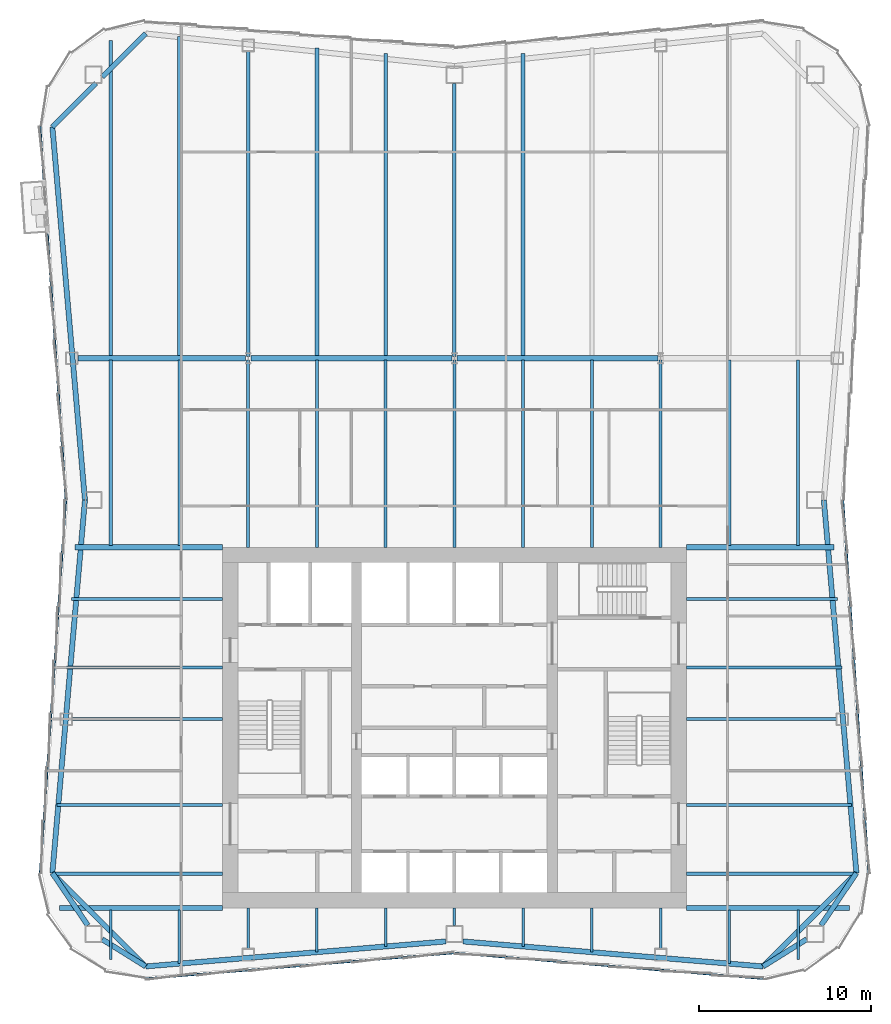
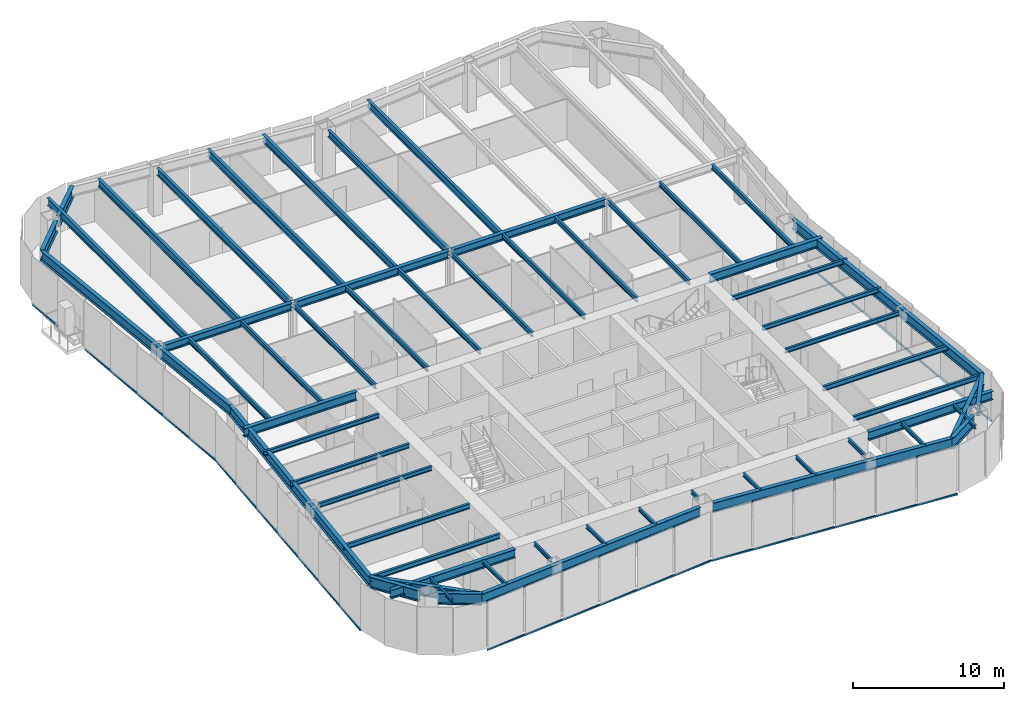
# One storey, part 2 of 10: 59 beams, 6 members, 3 elements without a shape of their own.
"""IFC4 building model written with IfcOpenShell, lengths in metres."""

from ifc_helpers import new_model, si_unit, direction, frame, origin, origin_2d, place, context, subcontext, project, spatial, rectangle, i_section, extrude, material, material_profile, profile_set, type_object, element, aggregate, save


model = new_model("IFC4")

# Units and contexts
model_context = context("Model", 3, precision=1e-05, world=origin(), true_north=direction((0.0, 1.0)))
body_context = subcontext(model_context, "Body", "Model", "MODEL_VIEW")
ifc_project = project(units=[si_unit("LENGTHUNIT", "METRE"), si_unit("AREAUNIT", "SQUARE_METRE"), si_unit("VOLUMEUNIT", "CUBIC_METRE"), si_unit("PLANEANGLEUNIT", "RADIAN"), si_unit("MASSUNIT", "GRAM", prefix="KILO")], contexts=[model_context])

# Site, building, storey
site_placement = place(None, origin())
site = spatial("IfcSite", under=ifc_project, at=site_placement, CompositionType="ELEMENT")
building_placement = place(site_placement, origin())
building = spatial("IfcBuilding", under=site, at=building_placement, Name="Verdant Reach Tower", CompositionType="ELEMENT")
storey_placement = place(building_placement, frame((0.0, 0.0, 190.0)))
storey = spatial("IfcBuildingStorey", under=building, at=storey_placement, Name="L43", CompositionType="ELEMENT", Elevation=190.0)

# Curtain wall, member
ifc_material_1 = material(Name="Anodised aluminium", Category="aluminium")
curtain_wall_type = type_object("IfcCurtainWallType", Name="EN-CW SYSTEM Z3", PredefinedType="NOTDEFINED", material=ifc_material_1)
curtain_wall_1_placement = place(storey_placement, origin())
curtain_wall_1 = element("IfcCurtainWall", 1, at=curtain_wall_1_placement, inside=storey, type_object=curtain_wall_type, Name="Curtain wall east, L43", PredefinedType="NOTDEFINED")
ifc_material_profile_1 = material_profile(ifc_material_1, rectangle(XDim=0.10009765625, YDim=0.1259765625, at=origin_2d()), Name="Transom 126x100")
ifc_profile_set_1 = profile_set([ifc_material_profile_1], Name="Anodised aluminium")
member_type = type_object("IfcMemberType", Name="EN-TRANSOM Z3", PredefinedType="USERDEFINED", material=ifc_profile_set_1)
member_1_placement = place(storey_placement, frame((24.1064453125, 19.52587890625, -0.287109375), z_axis=(-0.068764326054, 0.997632932226, 0.0), x_axis=(-0.997632932226, -0.068764326054, 0.0)))
member_1 = element("IfcMember", 2, at=member_1_placement, type_object=member_type, Name="Transom east face part 1 1.1, L43", ObjectType="TRANSOM", PredefinedType="USERDEFINED", context=body_context, shape_type="SweptSolid", body=[
    extrude(rectangle(XDim=0.10009765625, YDim=0.1259765625, at=origin_2d()), origin(), (0.0, 0.0, 1.0), 21.74267578125),
])
aggregate(curtain_wall_1, [member_1])

# Curtain wall, members
curtain_wall_2_placement = place(storey_placement, origin())
curtain_wall_2 = element("IfcCurtainWall", 3, at=curtain_wall_2_placement, inside=storey, type_object=curtain_wall_type, Name="Curtain wall west, L43", PredefinedType="NOTDEFINED")
member_2_placement = place(storey_placement, frame((-24.1064453125, 62.97412109375, -0.287109375), z_axis=(0.068465633569, -0.997653475421, 0.0), x_axis=(0.997653475421, 0.068465633569, 0.0)))
member_2 = element("IfcMember", 4, at=member_2_placement, type_object=member_type, Name="Transom west face part 1 1.1, L43", ObjectType="TRANSOM", PredefinedType="USERDEFINED", context=body_context, shape_type="SweptSolid", body=[
    extrude(rectangle(XDim=0.10009765625, YDim=0.1259765625, at=origin_2d()), origin(), (0.0, 0.0, 1.0), 3.06298828125),
])
member_3_placement = place(storey_placement, frame((-23.677978515625, 56.745361328125, -0.287109375), z_axis=(0.068819931299, -0.99762909794, 0.0), x_axis=(0.99762909794, 0.068819931299, 0.0)))
member_3 = element("IfcMember", 5, at=member_3_placement, type_object=member_type, Name="Transom west face part 1 2.1, L43", ObjectType="TRANSOM", PredefinedType="USERDEFINED", context=body_context, shape_type="SweptSolid", body=[
    extrude(rectangle(XDim=0.10009765625, YDim=0.1259765625, at=origin_2d()), origin(), (0.0, 0.0, 1.0), 15.499267578125),
])
member_4_placement = place(storey_placement, frame((-22.611328125, 41.217041015625, -0.287109375), z_axis=(-0.068764326054, -0.997632932226, 0.0), x_axis=(0.997632932226, -0.068764326054, 0.0)))
member_4 = element("IfcMember", 6, at=member_4_placement, type_object=member_type, Name="Transom west face part 2 1.1, L43", ObjectType="TRANSOM", PredefinedType="USERDEFINED", context=body_context, shape_type="SweptSolid", body=[
    extrude(rectangle(XDim=0.10009765625, YDim=0.1259765625, at=origin_2d()), origin(), (0.0, 0.0, 1.0), 21.74267578125),
])
aggregate(curtain_wall_2, [member_2, member_3, member_4])

curtain_wall_3_placement = place(storey_placement, origin())
curtain_wall_3 = element("IfcCurtainWall", 7, at=curtain_wall_3_placement, inside=storey, type_object=curtain_wall_type, Name="Curtain wall south, L43", PredefinedType="NOTDEFINED")
member_5_placement = place(storey_placement, frame((-17.973388671875, 13.393798828125, -0.287109375), z_axis=(0.996548750467, 0.083009565369, 0.0), x_axis=(-0.083009565369, 0.996548750467, 0.0)))
member_5 = element("IfcMember", 8, at=member_5_placement, type_object=member_type, Name="Transom south face part 1 1.1, L43", ObjectType="TRANSOM", PredefinedType="USERDEFINED", context=body_context, shape_type="SweptSolid", body=[
    extrude(rectangle(XDim=0.10009765625, YDim=0.1259765625, at=origin_2d()), origin(), (0.0, 0.0, 1.0), 18.00244140625),
])
member_6_placement = place(storey_placement, frame((0.032958984375, 14.88818359375, -0.287109375), z_axis=(0.996548750467, -0.083009565369, 0.0), x_axis=(0.083009565369, 0.996548750467, 0.0)))
member_6 = element("IfcMember", 9, at=member_6_placement, type_object=member_type, Name="Transom south face part 2 1.1, L43", ObjectType="TRANSOM", PredefinedType="USERDEFINED", context=body_context, shape_type="SweptSolid", body=[
    extrude(rectangle(XDim=0.10009765625, YDim=0.1259765625, at=origin_2d()), origin(), (0.0, 0.0, 1.0), 18.00244140625),
])
aggregate(curtain_wall_3, [member_5, member_6])

# Beams
ifc_material_2 = material(Name="Steel S355", Category="steel")
ifc_material_profile_2 = material_profile(ifc_material_2, i_section(OverallWidth=0.300048828125, OverallDepth=0.60009765625, WebThickness=0.015380859375, FlangeThickness=0.030029296875, FilletRadius=0.027099609375, at=origin_2d()), Name="HEB 600")
ifc_profile_set_2 = profile_set([ifc_material_profile_2], Name="Steel S355")
beam_type_1 = type_object("IfcBeamType", Name="ST-BEAM-HEB600", PredefinedType="BEAM", material=ifc_profile_set_2)
beam_1_placement = place(storey_placement, frame((-21.9189453125, 49.5, 3.570068359375), z_axis=(1.0, 0.0, 0.0), x_axis=(0.0, 1.0, 0.0)))
element("IfcBeam", 10, at=beam_1_placement, inside=storey, type_object=beam_type_1, Name="Row girder, L43", PredefinedType="BEAM", context=body_context, shape_type="SweptSolid", body=[
    extrude(i_section(OverallWidth=0.300048828125, OverallDepth=0.60009765625, WebThickness=0.015380859375, FlangeThickness=0.030029296875, FilletRadius=0.027099609375, at=origin_2d()), origin(), (0.0, 0.0, 1.0), 9.766357421875),
])
for number, where, z_axis, x_axis, name in (
    (11, (-11.847412109375, 49.5, 3.570068359375), (1.0, 0.0, 0.0), (0.0, 1.0, 0.0), "Row girder, L43"),
    (12, (0.152587890625, 49.5, 3.570068359375), (1.0, 0.0, 0.0), (0.0, 1.0, 0.0), "Row girder, L43"),
):
    element("IfcBeam", number, at=place(storey_placement, frame(where, z_axis=z_axis, x_axis=x_axis)), inside=storey, type_object=beam_type_1, Name=name, PredefinedType="BEAM", context=body_context, shape_type="SweptSolid", body=[
        extrude(i_section(OverallWidth=0.300048828125, OverallDepth=0.60009765625, WebThickness=0.015380859375, FlangeThickness=0.030029296875, FilletRadius=0.027099609375, at=origin_2d()), origin(), (0.0, 0.0, 1.0), 11.69482421875),
    ])
ifc_material_profile_3 = material_profile(ifc_material_2, i_section(OverallWidth=0.300048828125, OverallDepth=0.699951171875, WebThickness=0.01708984375, FlangeThickness=0.031982421875, FilletRadius=0.027099609375, at=origin_2d()), Name="HEB 700")
ifc_profile_set_3 = profile_set([ifc_material_profile_3], Name="Steel S355")
beam_type_2 = type_object("IfcBeamType", Name="ST-BEAM-HEB700", PredefinedType="BEAM", material=ifc_profile_set_3)
for number, where, z_axis, x_axis, name in (
    (13, (13.5, 38.5, 3.52001953125), (1.0, 0.0, 0.0), (0.0, 1.0, 0.0), "Trimmer beam, L43"),
    (14, (-13.5, 38.5, 3.52001953125), (-1.0, 0.0, 0.0), (0.0, -1.0, 0.0), "Trimmer beam, L43"),
):
    element("IfcBeam", number, at=place(storey_placement, frame(where, z_axis=z_axis, x_axis=x_axis)), inside=storey, type_object=beam_type_2, Name=name, PredefinedType="BEAM", context=body_context, shape_type="SweptSolid", body=[
        extrude(i_section(OverallWidth=0.300048828125, OverallDepth=0.699951171875, WebThickness=0.01708984375, FlangeThickness=0.031982421875, FilletRadius=0.027099609375, at=origin_2d()), origin(), (0.0, 0.0, 1.0), 8.588134765625),
    ])
for number, where, z_axis, x_axis, name in (
    (15, (13.5, 17.5, 3.52001953125), (1.0, 0.0, 0.0), (0.0, 1.0, 0.0), "Trimmer beam, L43"),
    (16, (-13.5, 17.5, 3.52001953125), (-1.0, 0.0, 0.0), (0.0, -1.0, 0.0), "Trimmer beam, L43"),
):
    element("IfcBeam", number, at=place(storey_placement, frame(where, z_axis=z_axis, x_axis=x_axis)), inside=storey, type_object=beam_type_2, Name=name, PredefinedType="BEAM", context=body_context, shape_type="SweptSolid", body=[
        extrude(i_section(OverallWidth=0.300048828125, OverallDepth=0.699951171875, WebThickness=0.01708984375, FlangeThickness=0.031982421875, FilletRadius=0.027099609375, at=origin_2d()), origin(), (0.0, 0.0, 1.0), 9.490478515625),
    ])
ifc_material_profile_4 = material_profile(ifc_material_2, i_section(OverallWidth=0.302001953125, OverallDepth=0.909912109375, WebThickness=0.02099609375, FlangeThickness=0.0400390625, FilletRadius=0.030029296875, at=origin_2d()), Name="HEM 900")
ifc_profile_set_4 = profile_set([ifc_material_profile_4], Name="Steel S355")
beam_type_3 = type_object("IfcBeamType", Name="ST-BEAM-HEM900", PredefinedType="BEAM", material=ifc_profile_set_4)
beam_2_placement = place(storey_placement, frame((20.5, 15.687744140625, 3.4150390625), z_axis=(-0.848163521635, -0.529734500073, 0.0), x_axis=(0.529734500073, -0.848163521635, 0.0)))
element("IfcBeam", 17, at=beam_2_placement, inside=storey, type_object=beam_type_3, Name="Column stub beam, L43", PredefinedType="BEAM", context=body_context, shape_type="SweptSolid", body=[
    extrude(i_section(OverallWidth=0.302001953125, OverallDepth=0.909912109375, WebThickness=0.02099609375, FlangeThickness=0.0400390625, FilletRadius=0.030029296875, at=origin_2d()), origin(), (0.0, 0.0, 1.0), 2.98779296875),
])
beam_3_placement = place(storey_placement, frame((21.33837890625, 16.5, 3.4150390625), z_axis=(0.560703975309, 0.828016335631, 0.0), x_axis=(-0.828016335631, 0.560703975309, 0.0)))
element("IfcBeam", 18, at=beam_3_placement, inside=storey, type_object=beam_type_3, Name="Column stub beam, L43", PredefinedType="BEAM", context=body_context, shape_type="SweptSolid", body=[
    extrude(i_section(OverallWidth=0.302001953125, OverallDepth=0.909912109375, WebThickness=0.02099609375, FlangeThickness=0.0400390625, FilletRadius=0.030029296875, at=origin_2d()), origin(), (0.0, 0.0, 1.0), 3.669677734375),
])
beam_4_placement = place(storey_placement, frame((-20.5, 15.687744140625, 3.4150390625), z_axis=(0.848163521635, -0.529734500073, 0.0), x_axis=(0.529734500073, 0.848163521635, 0.0)))
element("IfcBeam", 19, at=beam_4_placement, inside=storey, type_object=beam_type_3, Name="Column stub beam, L43", PredefinedType="BEAM", context=body_context, shape_type="SweptSolid", body=[
    extrude(i_section(OverallWidth=0.302001953125, OverallDepth=0.909912109375, WebThickness=0.02099609375, FlangeThickness=0.0400390625, FilletRadius=0.030029296875, at=origin_2d()), origin(), (0.0, 0.0, 1.0), 2.98779296875),
])
beam_5_placement = place(storey_placement, frame((-21.33837890625, 16.5, 3.4150390625), z_axis=(-0.560703975309, 0.828016335631, 0.0), x_axis=(-0.828016335631, -0.560703975309, 0.0)))
element("IfcBeam", 20, at=beam_5_placement, inside=storey, type_object=beam_type_3, Name="Column stub beam, L43", PredefinedType="BEAM", context=body_context, shape_type="SweptSolid", body=[
    extrude(i_section(OverallWidth=0.302001953125, OverallDepth=0.909912109375, WebThickness=0.02099609375, FlangeThickness=0.0400390625, FilletRadius=0.030029296875, at=origin_2d()), origin(), (0.0, 0.0, 1.0), 3.669677734375),
])
ifc_material_profile_5 = material_profile(ifc_material_2, i_section(OverallWidth=0.14990234375, OverallDepth=0.300048828125, WebThickness=0.007080078125, FlangeThickness=0.0107421875, FilletRadius=0.014892578125, at=origin_2d()), Name="IPE 300")
ifc_profile_set_5 = profile_set([ifc_material_profile_5], Name="Steel S355")
beam_type_4 = type_object("IfcBeamType", Name="ST-JOIST-IPE300", PredefinedType="JOIST", material=ifc_profile_set_5)
beam_6_placement = place(storey_placement, frame((-20.0, 17.39990234375, 3.719970703125), z_axis=(0.0, -1.0, 0.0), x_axis=(1.0, 0.0, 0.0)))
element("IfcBeam", 21, at=beam_6_placement, inside=storey, type_object=beam_type_4, Name="Floor joist, L43", PredefinedType="JOIST", context=body_context, shape_type="SweptSolid", body=[
    extrude(i_section(OverallWidth=0.14990234375, OverallDepth=0.300048828125, WebThickness=0.007080078125, FlangeThickness=0.0107421875, FilletRadius=0.014892578125, at=origin_2d()), origin(), (0.0, 0.0, 1.0), 2.890380859375),
])
beam_7_placement = place(storey_placement, frame((-16.0, 17.39990234375, 3.719970703125), z_axis=(0.0, -1.0, 0.0), x_axis=(1.0, 0.0, 0.0)))
element("IfcBeam", 22, at=beam_7_placement, inside=storey, type_object=beam_type_4, Name="Floor joist, L43", PredefinedType="JOIST", context=body_context, shape_type="SweptSolid", body=[
    extrude(i_section(OverallWidth=0.14990234375, OverallDepth=0.300048828125, WebThickness=0.007080078125, FlangeThickness=0.0107421875, FilletRadius=0.014892578125, at=origin_2d()), origin(), (0.0, 0.0, 1.0), 3.131103515625),
])
beam_8_placement = place(storey_placement, frame((-12.0, 17.5, 3.719970703125), z_axis=(0.0, -1.0, 0.0), x_axis=(1.0, 0.0, 0.0)))
element("IfcBeam", 23, at=beam_8_placement, inside=storey, type_object=beam_type_4, Name="Floor joist, L43", PredefinedType="JOIST", context=body_context, shape_type="SweptSolid", body=[
    extrude(i_section(OverallWidth=0.14990234375, OverallDepth=0.300048828125, WebThickness=0.007080078125, FlangeThickness=0.0107421875, FilletRadius=0.014892578125, at=origin_2d()), origin(), (0.0, 0.0, 1.0), 2.35009765625),
])
beam_9_placement = place(storey_placement, frame((-8.0, 17.5, 3.719970703125), z_axis=(0.0, -1.0, 0.0), x_axis=(1.0, 0.0, 0.0)))
element("IfcBeam", 24, at=beam_9_placement, inside=storey, type_object=beam_type_4, Name="Floor joist, L43", PredefinedType="JOIST", context=body_context, shape_type="SweptSolid", body=[
    extrude(i_section(OverallWidth=0.14990234375, OverallDepth=0.300048828125, WebThickness=0.007080078125, FlangeThickness=0.0107421875, FilletRadius=0.014892578125, at=origin_2d()), origin(), (0.0, 0.0, 1.0), 2.564697265625),
])
beam_10_placement = place(storey_placement, frame((-4.0, 17.5, 3.719970703125), z_axis=(0.0, -1.0, 0.0), x_axis=(1.0, 0.0, 0.0)))
element("IfcBeam", 25, at=beam_10_placement, inside=storey, type_object=beam_type_4, Name="Floor joist, L43", PredefinedType="JOIST", context=body_context, shape_type="SweptSolid", body=[
    extrude(i_section(OverallWidth=0.14990234375, OverallDepth=0.300048828125, WebThickness=0.007080078125, FlangeThickness=0.0107421875, FilletRadius=0.014892578125, at=origin_2d()), origin(), (0.0, 0.0, 1.0), 2.231201171875),
])
beam_11_placement = place(storey_placement, frame((0.0, 17.5, 3.719970703125), z_axis=(0.0, -1.0, 0.0), x_axis=(1.0, 0.0, 0.0)))
element("IfcBeam", 26, at=beam_11_placement, inside=storey, type_object=beam_type_4, Name="Floor joist, L43", PredefinedType="JOIST", context=body_context, shape_type="SweptSolid", body=[
    extrude(i_section(OverallWidth=0.14990234375, OverallDepth=0.300048828125, WebThickness=0.007080078125, FlangeThickness=0.0107421875, FilletRadius=0.014892578125, at=origin_2d()), origin(), (0.0, 0.0, 1.0), 1.0),
])
beam_12_placement = place(storey_placement, frame((4.0, 17.5, 3.719970703125), z_axis=(0.0, -1.0, 0.0), x_axis=(1.0, 0.0, 0.0)))
element("IfcBeam", 27, at=beam_12_placement, inside=storey, type_object=beam_type_4, Name="Floor joist, L43", PredefinedType="JOIST", context=body_context, shape_type="SweptSolid", body=[
    extrude(i_section(OverallWidth=0.14990234375, OverallDepth=0.300048828125, WebThickness=0.007080078125, FlangeThickness=0.0107421875, FilletRadius=0.014892578125, at=origin_2d()), origin(), (0.0, 0.0, 1.0), 2.231201171875),
])
beam_13_placement = place(storey_placement, frame((8.0, 17.5, 3.719970703125), z_axis=(0.0, -1.0, 0.0), x_axis=(1.0, 0.0, 0.0)))
element("IfcBeam", 28, at=beam_13_placement, inside=storey, type_object=beam_type_4, Name="Floor joist, L43", PredefinedType="JOIST", context=body_context, shape_type="SweptSolid", body=[
    extrude(i_section(OverallWidth=0.14990234375, OverallDepth=0.300048828125, WebThickness=0.007080078125, FlangeThickness=0.0107421875, FilletRadius=0.014892578125, at=origin_2d()), origin(), (0.0, 0.0, 1.0), 2.564697265625),
])
beam_14_placement = place(storey_placement, frame((12.0, 17.5, 3.719970703125), z_axis=(0.0, -1.0, 0.0), x_axis=(1.0, 0.0, 0.0)))
element("IfcBeam", 29, at=beam_14_placement, inside=storey, type_object=beam_type_4, Name="Floor joist, L43", PredefinedType="JOIST", context=body_context, shape_type="SweptSolid", body=[
    extrude(i_section(OverallWidth=0.14990234375, OverallDepth=0.300048828125, WebThickness=0.007080078125, FlangeThickness=0.0107421875, FilletRadius=0.014892578125, at=origin_2d()), origin(), (0.0, 0.0, 1.0), 2.35009765625),
])
beam_15_placement = place(storey_placement, frame((16.0, 17.39990234375, 3.719970703125), z_axis=(0.0, -1.0, 0.0), x_axis=(1.0, 0.0, 0.0)))
element("IfcBeam", 30, at=beam_15_placement, inside=storey, type_object=beam_type_4, Name="Floor joist, L43", PredefinedType="JOIST", context=body_context, shape_type="SweptSolid", body=[
    extrude(i_section(OverallWidth=0.14990234375, OverallDepth=0.300048828125, WebThickness=0.007080078125, FlangeThickness=0.0107421875, FilletRadius=0.014892578125, at=origin_2d()), origin(), (0.0, 0.0, 1.0), 3.131103515625),
])
beam_16_placement = place(storey_placement, frame((20.0, 17.39990234375, 3.719970703125), z_axis=(0.0, -1.0, 0.0), x_axis=(1.0, 0.0, 0.0)))
element("IfcBeam", 31, at=beam_16_placement, inside=storey, type_object=beam_type_4, Name="Floor joist, L43", PredefinedType="JOIST", context=body_context, shape_type="SweptSolid", body=[
    extrude(i_section(OverallWidth=0.14990234375, OverallDepth=0.300048828125, WebThickness=0.007080078125, FlangeThickness=0.0107421875, FilletRadius=0.014892578125, at=origin_2d()), origin(), (0.0, 0.0, 1.0), 2.890380859375),
])
ifc_material_profile_6 = material_profile(ifc_material_2, i_section(OverallWidth=0.169921875, OverallDepth=0.360107421875, WebThickness=0.008056640625, FlangeThickness=0.0126953125, FilletRadius=0.01806640625, at=origin_2d()), Name="IPE 360")
ifc_profile_set_6 = profile_set([ifc_material_profile_6], Name="Steel S355")
beam_type_5 = type_object("IfcBeamType", Name="ST-JOIST-IPE360", PredefinedType="JOIST", material=ifc_profile_set_6)
for number, where, z_axis, x_axis, name in (
    (32, (13.5, 28.5, 3.68994140625), (1.0, 0.0, 0.0), (0.0, 1.0, 0.0), "Floor joist, L43"),
    (33, (-13.5, 28.5, 3.68994140625), (-1.0, 0.0, 0.0), (0.0, -1.0, 0.0), "Floor joist, L43"),
):
    element("IfcBeam", number, at=place(storey_placement, frame(where, z_axis=z_axis, x_axis=x_axis)), inside=storey, type_object=beam_type_5, Name=name, PredefinedType="JOIST", context=body_context, shape_type="SweptSolid", body=[
        extrude(i_section(OverallWidth=0.169921875, OverallDepth=0.360107421875, WebThickness=0.008056640625, FlangeThickness=0.0126953125, FilletRadius=0.01806640625, at=origin_2d()), origin(), (0.0, 0.0, 1.0), 8.729248046875),
    ])
for number, where, z_axis, x_axis, name in (
    (34, (13.5, 31.5, 3.68994140625), (1.0, 0.0, 0.0), (0.0, 1.0, 0.0), "Floor joist, L43"),
    (35, (-13.5, 31.5, 3.68994140625), (-1.0, 0.0, 0.0), (0.0, -1.0, 0.0), "Floor joist, L43"),
):
    element("IfcBeam", number, at=place(storey_placement, frame(where, z_axis=z_axis, x_axis=x_axis)), inside=storey, type_object=beam_type_5, Name=name, PredefinedType="JOIST", context=body_context, shape_type="SweptSolid", body=[
        extrude(i_section(OverallWidth=0.169921875, OverallDepth=0.360107421875, WebThickness=0.008056640625, FlangeThickness=0.0126953125, FilletRadius=0.01806640625, at=origin_2d()), origin(), (0.0, 0.0, 1.0), 9.071044921875),
    ])
for number, where, z_axis, x_axis, name in (
    (36, (13.5, 35.5, 3.68994140625), (1.0, 0.0, 0.0), (0.0, 1.0, 0.0), "Floor joist, L43"),
    (37, (-13.5, 35.5, 3.68994140625), (-1.0, 0.0, 0.0), (0.0, -1.0, 0.0), "Floor joist, L43"),
):
    element("IfcBeam", number, at=place(storey_placement, frame(where, z_axis=z_axis, x_axis=x_axis)), inside=storey, type_object=beam_type_5, Name=name, PredefinedType="JOIST", context=body_context, shape_type="SweptSolid", body=[
        extrude(i_section(OverallWidth=0.169921875, OverallDepth=0.360107421875, WebThickness=0.008056640625, FlangeThickness=0.0126953125, FilletRadius=0.01806640625, at=origin_2d()), origin(), (0.0, 0.0, 1.0), 8.795166015625),
    ])
ifc_material_profile_7 = material_profile(ifc_material_2, i_section(OverallWidth=0.179931640625, OverallDepth=0.39990234375, WebThickness=0.008544921875, FlangeThickness=0.013427734375, FilletRadius=0.02099609375, at=origin_2d()), Name="IPE 400")
ifc_profile_set_7 = profile_set([ifc_material_profile_7], Name="Steel S355")
beam_type_6 = type_object("IfcBeamType", Name="ST-JOIST-IPE400", PredefinedType="JOIST", material=ifc_profile_set_7)
for number, where, z_axis, x_axis, name in (
    (38, (-20.0, 38.60009765625, 3.669921875), (0.0, 1.0, 0.0), (-1.0, 0.0, 0.0), "Floor joist, L43"),
    (39, (-16.0, 38.60009765625, 3.669921875), (0.0, 1.0, 0.0), (-1.0, 0.0, 0.0), "Floor joist, L43"),
):
    element("IfcBeam", number, at=place(storey_placement, frame(where, z_axis=z_axis, x_axis=x_axis)), inside=storey, type_object=beam_type_6, Name=name, PredefinedType="JOIST", context=body_context, shape_type="SweptSolid", body=[
        extrude(i_section(OverallWidth=0.179931640625, OverallDepth=0.39990234375, WebThickness=0.008544921875, FlangeThickness=0.013427734375, FilletRadius=0.02099609375, at=origin_2d()), origin(), (0.0, 0.0, 1.0), 10.7998046875),
    ])
for number, where, z_axis, x_axis, name in (
    (40, (-12.0, 38.5, 3.669921875), (0.0, 1.0, 0.0), (-1.0, 0.0, 0.0), "Floor joist, L43"),
    (41, (-8.0, 38.5, 3.669921875), (0.0, 1.0, 0.0), (-1.0, 0.0, 0.0), "Floor joist, L43"),
    (42, (-4.0, 38.5, 3.669921875), (0.0, 1.0, 0.0), (-1.0, 0.0, 0.0), "Floor joist, L43"),
    (43, (0.0, 38.5, 3.669921875), (0.0, 1.0, 0.0), (-1.0, 0.0, 0.0), "Floor joist, L43"),
    (44, (4.0, 38.5, 3.669921875), (0.0, 1.0, 0.0), (-1.0, 0.0, 0.0), "Floor joist, L43"),
    (45, (8.0, 38.5, 3.669921875), (0.0, 1.0, 0.0), (-1.0, 0.0, 0.0), "Floor joist, L43"),
    (46, (12.0, 38.5, 3.669921875), (0.0, 1.0, 0.0), (-1.0, 0.0, 0.0), "Floor joist, L43"),
):
    element("IfcBeam", number, at=place(storey_placement, frame(where, z_axis=z_axis, x_axis=x_axis)), inside=storey, type_object=beam_type_6, Name=name, PredefinedType="JOIST", context=body_context, shape_type="SweptSolid", body=[
        extrude(i_section(OverallWidth=0.179931640625, OverallDepth=0.39990234375, WebThickness=0.008544921875, FlangeThickness=0.013427734375, FilletRadius=0.02099609375, at=origin_2d()), origin(), (0.0, 0.0, 1.0), 10.89990234375),
    ])
for number, where, z_axis, x_axis, name in (
    (47, (16.0, 38.60009765625, 3.669921875), (0.0, 1.0, 0.0), (-1.0, 0.0, 0.0), "Floor joist, L43"),
    (48, (20.0, 38.60009765625, 3.669921875), (0.0, 1.0, 0.0), (-1.0, 0.0, 0.0), "Floor joist, L43"),
):
    element("IfcBeam", number, at=place(storey_placement, frame(where, z_axis=z_axis, x_axis=x_axis)), inside=storey, type_object=beam_type_6, Name=name, PredefinedType="JOIST", context=body_context, shape_type="SweptSolid", body=[
        extrude(i_section(OverallWidth=0.179931640625, OverallDepth=0.39990234375, WebThickness=0.008544921875, FlangeThickness=0.013427734375, FilletRadius=0.02099609375, at=origin_2d()), origin(), (0.0, 0.0, 1.0), 10.7998046875),
    ])
for number, where, z_axis, x_axis, name in (
    (49, (13.5, 19.5, 3.669921875), (1.0, 0.0, 0.0), (0.0, 1.0, 0.0), "Floor joist, L43"),
    (50, (-13.5, 19.5, 3.669921875), (-1.0, 0.0, 0.0), (0.0, -1.0, 0.0), "Floor joist, L43"),
):
    element("IfcBeam", number, at=place(storey_placement, frame(where, z_axis=z_axis, x_axis=x_axis)), inside=storey, type_object=beam_type_6, Name=name, PredefinedType="JOIST", context=body_context, shape_type="SweptSolid", body=[
        extrude(i_section(OverallWidth=0.179931640625, OverallDepth=0.39990234375, WebThickness=0.008544921875, FlangeThickness=0.013427734375, FilletRadius=0.02099609375, at=origin_2d()), origin(), (0.0, 0.0, 1.0), 9.88818359375),
    ])
for number, where, z_axis, x_axis, name in (
    (51, (13.5, 23.5, 3.669921875), (1.0, 0.0, 0.0), (0.0, 1.0, 0.0), "Floor joist, L43"),
    (52, (-13.5, 23.5, 3.669921875), (-1.0, 0.0, 0.0), (0.0, -1.0, 0.0), "Floor joist, L43"),
):
    element("IfcBeam", number, at=place(storey_placement, frame(where, z_axis=z_axis, x_axis=x_axis)), inside=storey, type_object=beam_type_6, Name=name, PredefinedType="JOIST", context=body_context, shape_type="SweptSolid", body=[
        extrude(i_section(OverallWidth=0.179931640625, OverallDepth=0.39990234375, WebThickness=0.008544921875, FlangeThickness=0.013427734375, FilletRadius=0.02099609375, at=origin_2d()), origin(), (0.0, 0.0, 1.0), 9.622802734375),
    ])
ifc_material_profile_8 = material_profile(ifc_material_2, i_section(OverallWidth=0.2099609375, OverallDepth=0.550048828125, WebThickness=0.010986328125, FlangeThickness=0.01708984375, FilletRadius=0.02392578125, at=origin_2d()), Name="IPE 550")
ifc_profile_set_8 = profile_set([ifc_material_profile_8], Name="Steel S355")
beam_type_7 = type_object("IfcBeamType", Name="ST-JOIST-IPE550", PredefinedType="JOIST", material=ifc_profile_set_8)
beam_17_placement = place(storey_placement, frame((0.0, 49.60009765625, 3.594970703125), z_axis=(0.0, 1.0, 0.0), x_axis=(-1.0, 0.0, 0.0)))
element("IfcBeam", 53, at=beam_17_placement, inside=storey, type_object=beam_type_7, Name="Floor joist, L43", PredefinedType="JOIST", context=body_context, shape_type="SweptSolid", body=[
    extrude(i_section(OverallWidth=0.2099609375, OverallDepth=0.550048828125, WebThickness=0.010986328125, FlangeThickness=0.01708984375, FilletRadius=0.02392578125, at=origin_2d()), origin(), (0.0, 0.0, 1.0), 15.89990234375),
])
ifc_material_profile_9 = material_profile(ifc_material_2, i_section(OverallWidth=0.219970703125, OverallDepth=0.60009765625, WebThickness=0.011962890625, FlangeThickness=0.01904296875, FilletRadius=0.02392578125, at=origin_2d()), Name="IPE 600")
ifc_profile_set_9 = profile_set([ifc_material_profile_9], Name="Steel S355")
beam_type_8 = type_object("IfcBeamType", Name="ST-JOIST-IPE600", PredefinedType="JOIST", material=ifc_profile_set_9)
beam_18_placement = place(storey_placement, frame((-20.0, 49.60009765625, 3.570068359375), z_axis=(0.0, 1.0, 0.0), x_axis=(-1.0, 0.0, 0.0)))
element("IfcBeam", 54, at=beam_18_placement, inside=storey, type_object=beam_type_8, Name="Floor joist, L43", PredefinedType="JOIST", context=body_context, shape_type="SweptSolid", body=[
    extrude(i_section(OverallWidth=0.219970703125, OverallDepth=0.60009765625, WebThickness=0.011962890625, FlangeThickness=0.01904296875, FilletRadius=0.02392578125, at=origin_2d()), origin(), (0.0, 0.0, 1.0), 18.390380859375),
])
beam_19_placement = place(storey_placement, frame((-16.0, 49.60009765625, 3.570068359375), z_axis=(0.0, 1.0, 0.0), x_axis=(-1.0, 0.0, 0.0)))
element("IfcBeam", 55, at=beam_19_placement, inside=storey, type_object=beam_type_8, Name="Floor joist, L43", PredefinedType="JOIST", context=body_context, shape_type="SweptSolid", body=[
    extrude(i_section(OverallWidth=0.219970703125, OverallDepth=0.60009765625, WebThickness=0.011962890625, FlangeThickness=0.01904296875, FilletRadius=0.02392578125, at=origin_2d()), origin(), (0.0, 0.0, 1.0), 18.631103515625),
])
beam_20_placement = place(storey_placement, frame((-12.0, 49.60009765625, 3.570068359375), z_axis=(0.0, 1.0, 0.0), x_axis=(-1.0, 0.0, 0.0)))
element("IfcBeam", 56, at=beam_20_placement, inside=storey, type_object=beam_type_8, Name="Floor joist, L43", PredefinedType="JOIST", context=body_context, shape_type="SweptSolid", body=[
    extrude(i_section(OverallWidth=0.219970703125, OverallDepth=0.60009765625, WebThickness=0.011962890625, FlangeThickness=0.01904296875, FilletRadius=0.02392578125, at=origin_2d()), origin(), (0.0, 0.0, 1.0), 17.75),
])
beam_21_placement = place(storey_placement, frame((-8.0, 49.60009765625, 3.570068359375), z_axis=(0.0, 1.0, 0.0), x_axis=(-1.0, 0.0, 0.0)))
element("IfcBeam", 57, at=beam_21_placement, inside=storey, type_object=beam_type_8, Name="Floor joist, L43", PredefinedType="JOIST", context=body_context, shape_type="SweptSolid", body=[
    extrude(i_section(OverallWidth=0.219970703125, OverallDepth=0.60009765625, WebThickness=0.011962890625, FlangeThickness=0.01904296875, FilletRadius=0.02392578125, at=origin_2d()), origin(), (0.0, 0.0, 1.0), 17.964599609375),
])
for number, where, z_axis, x_axis, name in (
    (58, (-4.0, 49.60009765625, 3.570068359375), (0.0, 1.0, 0.0), (-1.0, 0.0, 0.0), "Floor joist, L43"),
    (59, (4.0, 49.60009765625, 3.570068359375), (0.0, 1.0, 0.0), (-1.0, 0.0, 0.0), "Floor joist, L43"),
):
    element("IfcBeam", number, at=place(storey_placement, frame(where, z_axis=z_axis, x_axis=x_axis)), inside=storey, type_object=beam_type_8, Name=name, PredefinedType="JOIST", context=body_context, shape_type="SweptSolid", body=[
        extrude(i_section(OverallWidth=0.219970703125, OverallDepth=0.60009765625, WebThickness=0.011962890625, FlangeThickness=0.01904296875, FilletRadius=0.02392578125, at=origin_2d()), origin(), (0.0, 0.0, 1.0), 17.631103515625),
    ])
ifc_material_profile_10 = material_profile(ifc_material_2, i_section(OverallWidth=0.300048828125, OverallDepth=0.800048828125, WebThickness=0.017578125, FlangeThickness=0.032958984375, FilletRadius=0.030029296875, at=origin_2d()), Name="HEB 800")
ifc_profile_set_10 = profile_set([ifc_material_profile_10], Name="Steel S355")
beam_type_9 = type_object("IfcBeamType", Name="ST-SPANDREL-HEB800", PredefinedType="SPANDREL", material=ifc_profile_set_10)
for number, where, z_axis, x_axis, name in (
    (60, (17.9658203125, 14.10498046875, 3.469970703125), (-0.99654652675, 0.083036257282, 0.0), (-0.083036257282, -0.99654652675, 0.0), "Edge beam, L43"),
    (61, (-0.5, 15.560302734375, 3.469970703125), (-0.99654652675, -0.083036257282, 0.0), (0.083036257282, -0.99654652675, 0.0), "Edge beam, L43"),
):
    element("IfcBeam", number, at=place(storey_placement, frame(where, z_axis=z_axis, x_axis=x_axis)), inside=storey, type_object=beam_type_9, Name=name, PredefinedType="SPANDREL", context=body_context, shape_type="SweptSolid", body=[
        extrude(i_section(OverallWidth=0.300048828125, OverallDepth=0.800048828125, WebThickness=0.017578125, FlangeThickness=0.032958984375, FilletRadius=0.030029296875, at=origin_2d()), origin(), (0.0, 0.0, 1.0), 17.5263671875),
    ])
for number, where, z_axis, x_axis, name in (
    (62, (-23.39599609375, 19.53857421875, 3.469970703125), (0.086996024331, 0.996208658741, 0.0), (-0.996208658741, 0.086996024331, 0.0), "Edge beam, L43"),
    (63, (-21.5, 41.25, 3.469970703125), (-0.086996024331, 0.996208658741, 0.0), (-0.996208658741, -0.086996024331, 0.0), "Edge beam, L43"),
    (64, (21.5, 41.25, 3.469970703125), (0.086996024331, -0.996208658741, 0.0), (0.996208658741, 0.086996024331, 0.0), "Edge beam, L43"),
):
    element("IfcBeam", number, at=place(storey_placement, frame(where, z_axis=z_axis, x_axis=x_axis)), inside=storey, type_object=beam_type_9, Name=name, PredefinedType="SPANDREL", context=body_context, shape_type="SweptSolid", body=[
        extrude(i_section(OverallWidth=0.300048828125, OverallDepth=0.800048828125, WebThickness=0.017578125, FlangeThickness=0.032958984375, FilletRadius=0.030029296875, at=origin_2d()), origin(), (0.0, 0.0, 1.0), 21.7939453125),
    ])
ifc_material_profile_11 = material_profile(ifc_material_2, i_section(OverallWidth=0.302001953125, OverallDepth=0.909912109375, WebThickness=0.02099609375, FlangeThickness=0.0400390625, FilletRadius=0.030029296875, at=origin_2d()), Name="HEM 900")
ifc_profile_set_11 = profile_set([ifc_material_profile_11], Name="Steel S355")
beam_type_10 = type_object("IfcBeamType", Name="ST-SPANDREL-HEM900", PredefinedType="SPANDREL", material=ifc_profile_set_11)
beam_22_placement = place(storey_placement, frame((-17.9658203125, 14.10498046875, 3.4150390625), z_axis=(-0.706884275642, 0.707329216738, 0.0), x_axis=(-0.707329216738, -0.706884275642, 0.0)))
element("IfcBeam", 65, at=beam_22_placement, inside=storey, type_object=beam_type_10, Name="Edge beam, L43", PredefinedType="SPANDREL", context=body_context, shape_type="SweptSolid", body=[
    extrude(i_section(OverallWidth=0.302001953125, OverallDepth=0.909912109375, WebThickness=0.02099609375, FlangeThickness=0.0400390625, FilletRadius=0.030029296875, at=origin_2d()), origin(), (0.0, 0.0, 1.0), 7.681884765625),
])
beam_23_placement = place(storey_placement, frame((-23.39599609375, 62.96142578125, 3.4150390625), z_axis=(0.706902680526, 0.707310822952, 0.0), x_axis=(-0.707310822952, 0.706902680526, 0.0)))
element("IfcBeam", 66, at=beam_23_placement, inside=storey, type_object=beam_type_10, Name="Edge beam, L43", PredefinedType="SPANDREL", context=body_context, shape_type="SweptSolid", body=[
    extrude(i_section(OverallWidth=0.302001953125, OverallDepth=0.909912109375, WebThickness=0.02099609375, FlangeThickness=0.0400390625, FilletRadius=0.030029296875, at=origin_2d()), origin(), (0.0, 0.0, 1.0), 3.589111328125),
])
beam_24_placement = place(storey_placement, frame((-20.5, 65.859130859375, 3.4150390625), z_axis=(0.706868394255, 0.707345087777, 0.0), x_axis=(-0.707345087777, 0.706868394255, 0.0)))
element("IfcBeam", 67, at=beam_24_placement, inside=storey, type_object=beam_type_10, Name="Edge beam, L43", PredefinedType="SPANDREL", context=body_context, shape_type="SweptSolid", body=[
    extrude(i_section(OverallWidth=0.302001953125, OverallDepth=0.909912109375, WebThickness=0.02099609375, FlangeThickness=0.0400390625, FilletRadius=0.030029296875, at=origin_2d()), origin(), (0.0, 0.0, 1.0), 3.5849609375),
])
beam_25_placement = place(storey_placement, frame((23.39599609375, 19.53857421875, 3.4150390625), z_axis=(-0.706884275642, -0.707329216738, 0.0), x_axis=(0.707329216738, -0.706884275642, 0.0)))
element("IfcBeam", 68, at=beam_25_placement, inside=storey, type_object=beam_type_10, Name="Edge beam, L43", PredefinedType="SPANDREL", context=body_context, shape_type="SweptSolid", body=[
    extrude(i_section(OverallWidth=0.302001953125, OverallDepth=0.909912109375, WebThickness=0.02099609375, FlangeThickness=0.0400390625, FilletRadius=0.030029296875, at=origin_2d()), origin(), (0.0, 0.0, 1.0), 7.681884765625),
])

save(model, "model.ifc")
